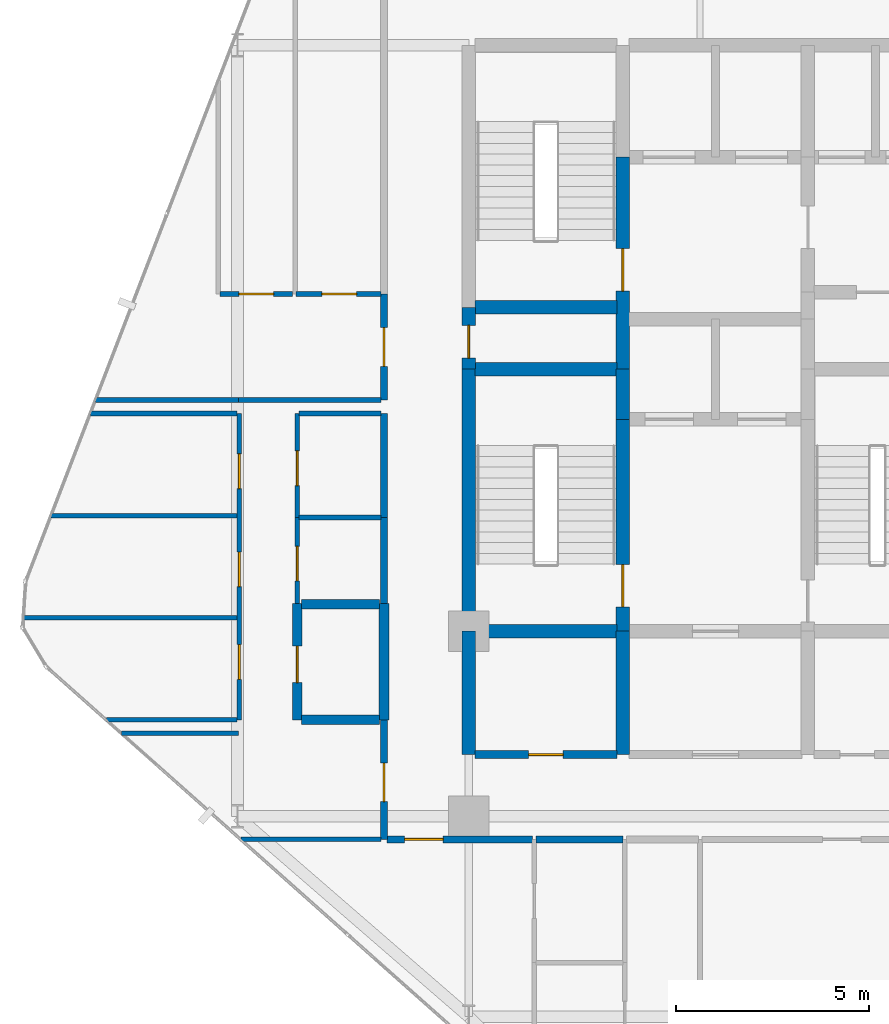
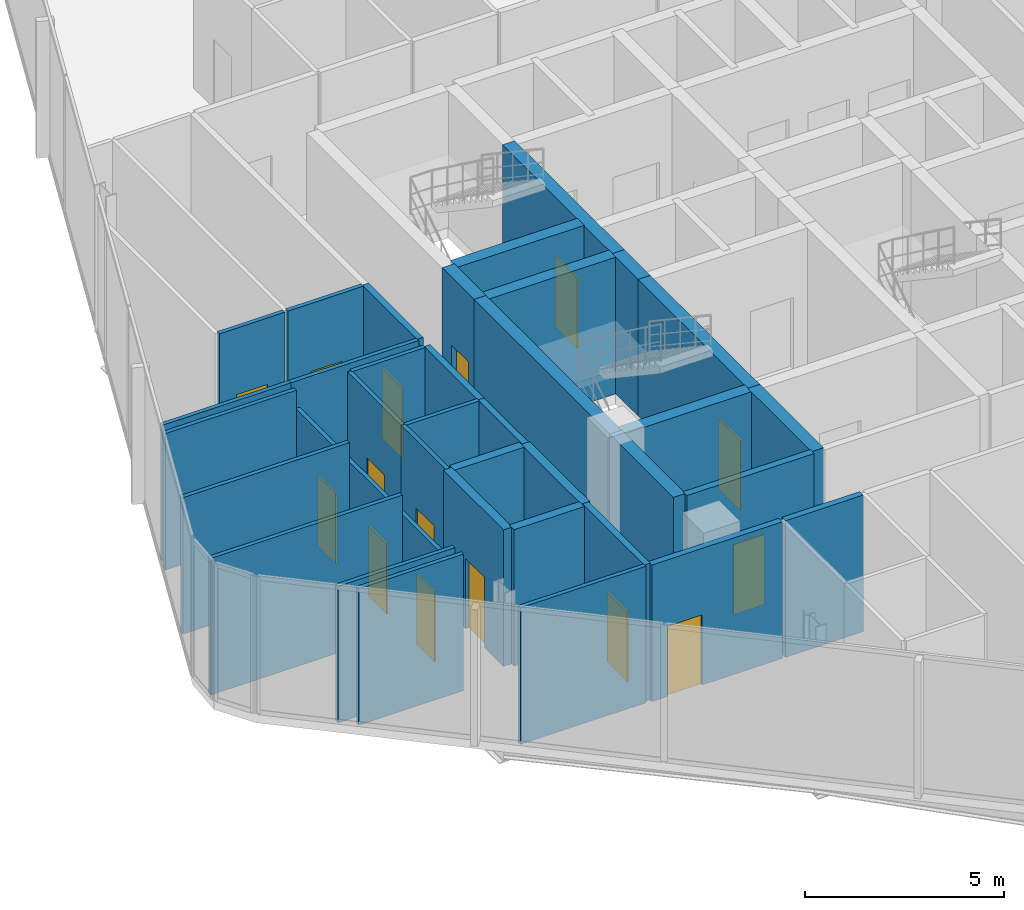
# One storey, part 22 of 30: 36 walls, 15 doors, 15 openings.
"""IFC4 building model written with IfcOpenShell, lengths in metres."""

from ifc_helpers import new_model, si_unit, direction, frame, frame_2d, origin, place, context, subcontext, project, spatial, rectangle, extrude, material, layer, layer_set, type_object, element, fill, save


model = new_model("IFC4")

# Units and contexts
model_context = context("Model", 3, precision=1e-05, world=origin(), true_north=direction((0.0, 1.0)))
body_context = subcontext(model_context, "Body", "Model", "MODEL_VIEW")
ifc_project = project(units=[si_unit("LENGTHUNIT", "METRE"), si_unit("AREAUNIT", "SQUARE_METRE"), si_unit("VOLUMEUNIT", "CUBIC_METRE"), si_unit("PLANEANGLEUNIT", "RADIAN"), si_unit("MASSUNIT", "GRAM", prefix="KILO")], contexts=[model_context])

# Site, building, storey
site_placement = place(None, origin())
site = spatial("IfcSite", under=ifc_project, at=site_placement, CompositionType="ELEMENT")
building_placement = place(site_placement, origin())
building = spatial("IfcBuilding", under=site, at=building_placement, Name="Keshet Zoharim Tower", CompositionType="ELEMENT")
storey_placement = place(building_placement, frame((0.0, 0.0, 86.39990234375)))
storey = spatial("IfcBuildingStorey", under=building, at=storey_placement, Name="L20", CompositionType="ELEMENT", Elevation=86.39990234375)

# Walls
ifc_material_1 = material(Name="Concrete C60/75", Category="concrete")
ifc_layer_1 = layer(ifc_material_1, 0.35009765625)
ifc_layer_set_1 = layer_set([ifc_layer_1], Name="Concrete C60/75")
wall_type_1 = type_object("IfcWallType", Name="WL-CORE-350", PredefinedType="SHEAR", material=ifc_layer_set_1)
wall_1_placement = place(storey_placement, frame((15.0, 19.5, 0.0), z_axis=(0.0, 0.0, 1.0), x_axis=(0.0, 1.0, 0.0)))
element("IfcWall", 1, at=wall_1_placement, inside=storey, type_object=wall_type_1, Name="L20 Core Shear Wall 013", PredefinedType="SHEAR", context=body_context, shape_type="SweptSolid", body=[
    extrude(rectangle(XDim=3.199951171875, YDim=0.35009765625, at=frame_2d((1.60009765625, 0.0))), origin(), (0.0, 0.0, 1.0), 4.18505859375),
])
wall_2_placement = place(storey_placement, frame((15.0, 22.699951171875, 0.0), z_axis=(0.0, 0.0, 1.0), x_axis=(0.0, 1.0, 0.0)))
element("IfcWall", 2, at=wall_2_placement, inside=storey, type_object=wall_type_1, Name="L20 Core Shear Wall 014", PredefinedType="SHEAR", context=body_context, shape_type="SweptSolid", body=[
    extrude(rectangle(XDim=6.800048828125, YDim=0.35009765625, at=frame_2d((3.39990234375, 0.0))), origin(), (0.0, 0.0, 1.0), 4.18505859375),
])

# Wall, opening, door
wall_3_placement = place(storey_placement, frame((15.0, 29.5, 0.0), z_axis=(0.0, 0.0, 1.0), x_axis=(0.0, 1.0, 0.0)))
wall_3 = element("IfcWall", 3, at=wall_3_placement, inside=storey, type_object=wall_type_1, Name="L20 Core Shear Wall 015", PredefinedType="SHEAR", context=body_context, shape_type="SweptSolid", body=[
    extrude(rectangle(XDim=1.60009765625, YDim=0.35009765625, at=frame_2d((0.800048828125, 0.0))), origin(), (0.0, 0.0, 1.0), 4.18505859375),
])
opening_1_placement = place(wall_3_placement, frame((0.287109375, 0.0, 0.0)))
opening_1 = element("IfcOpeningElement", 4, at=opening_1_placement, cuts=wall_3, Name="Opening D-RS85", PredefinedType="OPENING", context=body_context, shape_type="SweptSolid", body=[
    extrude(rectangle(XDim=0.85009765625, YDim=2.10009765625, at=frame_2d((0.425048828125, 1.050048828125))), frame((0.0, 0.18505859375, 0.0), z_axis=(0.0, -1.0, 0.0), x_axis=(1.0, 0.0, 0.0)), (0.0, 0.0, 1.0), 0.3701171875),
])
ifc_material_2 = material(Name="Hardwood Timber", Category="wood")
door_type_1 = type_object("IfcDoorType", Name="DR-RIS-085", OperationType="NOTDEFINED", PredefinedType="DOOR", material=ifc_material_2)
door_1_placement = place(opening_1_placement, origin())
door_1 = element("IfcDoor", 5, at=door_1_placement, inside=storey, type_object=door_type_1, Name="L20 Electrical Riser Access Cupboard Door", OperationType="SINGLE_SWING_LEFT", OverallHeight=2.10009765625, OverallWidth=0.85009765625, PredefinedType="DOOR", context=body_context, shape_type="SweptSolid", body=[
    extrude(rectangle(XDim=0.85009765625, YDim=2.10009765625, at=frame_2d((0.425048828125, 1.050048828125))), frame((0.0, 0.02490234375, 0.0), z_axis=(0.0, -1.0, 0.0), x_axis=(1.0, 0.0, 0.0)), (0.0, 0.0, 1.0), 0.050048828125),
])
fill(opening_1, door_1)

# Wall
wall_4_placement = place(storey_placement, frame((19.0, 19.5, 0.0), z_axis=(0.0, 0.0, 1.0), x_axis=(0.0, 1.0, 0.0)))
element("IfcWall", 6, at=wall_4_placement, inside=storey, type_object=wall_type_1, Name="L20 Core Shear Wall 021", PredefinedType="SHEAR", context=body_context, shape_type="SweptSolid", body=[
    extrude(rectangle(XDim=3.199951171875, YDim=0.35009765625, at=frame_2d((1.60009765625, 0.0))), origin(), (0.0, 0.0, 1.0), 4.18505859375),
])

# Wall, opening, door
wall_5_placement = place(storey_placement, frame((19.0, 22.699951171875, 0.0), z_axis=(0.0, 0.0, 1.0), x_axis=(0.0, 1.0, 0.0)))
wall_5 = element("IfcWall", 7, at=wall_5_placement, inside=storey, type_object=wall_type_1, Name="L20 Core Shear Wall 022", PredefinedType="SHEAR", context=body_context, shape_type="SweptSolid", body=[
    extrude(rectangle(XDim=5.5, YDim=0.35009765625, at=frame_2d((2.75, 0.0))), origin(), (0.0, 0.0, 1.0), 4.18505859375),
])
opening_2_placement = place(wall_5_placement, frame((0.631103515625, 0.0, 0.0)))
opening_2 = element("IfcOpeningElement", 8, at=opening_2_placement, cuts=wall_5, Name="Opening D-F611", PredefinedType="OPENING", context=body_context, shape_type="SweptSolid", body=[
    extrude(rectangle(XDim=1.10009765625, YDim=2.14990234375, at=frame_2d((0.550048828125, 1.074951171875))), frame((0.0, 0.18505859375, 0.0), z_axis=(0.0, -1.0, 0.0), x_axis=(1.0, 0.0, 0.0)), (0.0, 0.0, 1.0), 0.3701171875),
])
door_type_2 = type_object("IfcDoorType", Name="DR-FD60-110", OperationType="NOTDEFINED", PredefinedType="DOOR", material=ifc_material_2)
door_2_placement = place(opening_2_placement, origin())
door_2 = element("IfcDoor", 9, at=door_2_placement, inside=storey, type_object=door_type_2, Name="L20 Exit Stair ST-01 Fire Door", OperationType="SINGLE_SWING_RIGHT", OverallHeight=2.14990234375, OverallWidth=1.10009765625, PredefinedType="DOOR", context=body_context, shape_type="SweptSolid", body=[
    extrude(rectangle(XDim=1.10009765625, YDim=2.14990234375, at=frame_2d((0.550048828125, 1.074951171875))), frame((0.0, 0.02490234375, 0.0), z_axis=(0.0, -1.0, 0.0), x_axis=(1.0, 0.0, 0.0)), (0.0, 0.0, 1.0), 0.050048828125),
])
fill(opening_2, door_2)

# Wall
wall_6_placement = place(storey_placement, frame((19.0, 28.199951171875, 0.0), z_axis=(0.0, 0.0, 1.0), x_axis=(0.0, 1.0, 0.0)))
element("IfcWall", 10, at=wall_6_placement, inside=storey, type_object=wall_type_1, Name="L20 Core Shear Wall 023", PredefinedType="SHEAR", context=body_context, shape_type="SweptSolid", body=[
    extrude(rectangle(XDim=1.300048828125, YDim=0.35009765625, at=frame_2d((0.64990234375, 0.0))), origin(), (0.0, 0.0, 1.0), 4.18505859375),
])

# Wall, opening, door
wall_7_placement = place(storey_placement, frame((19.0, 29.5, 0.0), z_axis=(0.0, 0.0, 1.0), x_axis=(0.0, 1.0, 0.0)))
wall_7 = element("IfcWall", 11, at=wall_7_placement, inside=storey, type_object=wall_type_1, Name="L20 Core Shear Wall 024", PredefinedType="SHEAR", context=body_context, shape_type="SweptSolid", body=[
    extrude(rectangle(XDim=5.5, YDim=0.35009765625, at=frame_2d((2.75, 0.0))), origin(), (0.0, 0.0, 1.0), 4.18505859375),
])
opening_3_placement = place(wall_7_placement, frame((2.02490234375, 0.0, 0.0)))
opening_3 = element("IfcOpeningElement", 12, at=opening_3_placement, cuts=wall_7, Name="Opening D-F611", PredefinedType="OPENING", context=body_context, shape_type="SweptSolid", body=[
    extrude(rectangle(XDim=1.10009765625, YDim=2.14990234375, at=frame_2d((0.550048828125, 1.074951171875))), frame((0.0, 0.18505859375, 0.0), z_axis=(0.0, -1.0, 0.0), x_axis=(1.0, 0.0, 0.0)), (0.0, 0.0, 1.0), 0.3701171875),
])
door_3_placement = place(opening_3_placement, origin())
door_3 = element("IfcDoor", 13, at=door_3_placement, inside=storey, type_object=door_type_2, Name="L20 Exit Stair ST-02 Fire Door", OperationType="SINGLE_SWING_LEFT", OverallHeight=2.14990234375, OverallWidth=1.10009765625, PredefinedType="DOOR", context=body_context, shape_type="SweptSolid", body=[
    extrude(rectangle(XDim=1.10009765625, YDim=2.14990234375, at=frame_2d((0.550048828125, 1.074951171875))), frame((0.0, 0.02490234375, 0.0), z_axis=(0.0, -1.0, 0.0), x_axis=(1.0, 0.0, 0.0)), (0.0, 0.0, 1.0), 0.050048828125),
])
fill(opening_3, door_3)

# Walls
for number, where, z_axis, x_axis, name in (
    (14, (15.159912109375, 22.699951171875, 0.0), (0.0, 0.0, 1.0), (1.0, 0.0, 0.0), "L20 Core Shear Wall 152"),
    (15, (15.159912109375, 29.5, 0.0), (0.0, 0.0, 1.0), (1.0, 0.0, 0.0), "L20 Core Shear Wall 170"),
    (16, (15.159912109375, 31.10009765625, 0.0), (0.0, 0.0, 1.0), (1.0, 0.0, 0.0), "L20 Core Shear Wall 173"),
):
    element("IfcWall", number, at=place(storey_placement, frame(where, z_axis=z_axis, x_axis=x_axis)), inside=storey, type_object=wall_type_1, Name=name, PredefinedType="SHEAR", context=body_context, shape_type="SweptSolid", body=[
        extrude(rectangle(XDim=3.68017578125, YDim=0.35009765625, at=frame_2d((1.840087890625, 0.0))), origin(), (0.0, 0.0, 1.0), 4.18505859375),
    ])

# Wall, opening, door
ifc_material_3 = material(Name="Gypsum Plasterboard", Category="gypsum")
ifc_layer_2 = layer(ifc_material_3, 0.179931640625)
ifc_layer_set_2 = layer_set([ifc_layer_2], Name="Gypsum Plasterboard")
wall_type_2 = type_object("IfcWallType", Name="WL-CORR-180", PredefinedType="STANDARD", material=ifc_layer_set_2)
wall_8_placement = place(storey_placement, frame((12.800048828125, 17.300048828125, 0.0), z_axis=(0.0, 0.0, 1.0), x_axis=(0.0, 1.0, 0.0)))
wall_8 = element("IfcWall", 17, at=wall_8_placement, inside=storey, type_object=wall_type_2, Name="L20 Interior Wall 007", PredefinedType="STANDARD", context=body_context, shape_type="SweptSolid", body=[
    extrude(rectangle(XDim=3.099853515625, YDim=0.179931640625, at=frame_2d((1.5498046875, 0.0))), origin(), (0.0, 0.0, 1.0), 4.18505859375),
])
opening_4_placement = place(wall_8_placement, frame((0.97802734375, 0.0, 0.0)))
opening_4 = element("IfcOpeningElement", 18, at=opening_4_placement, cuts=wall_8, Name="Opening D-F310", PredefinedType="OPENING", context=body_context, shape_type="SweptSolid", body=[
    extrude(rectangle(XDim=1.0, YDim=2.14990234375, at=frame_2d((0.5, 1.074951171875))), frame((0.0, 0.10009765625, 0.0), z_axis=(0.0, -1.0, 0.0), x_axis=(1.0, 0.0, 0.0)), (0.0, 0.0, 1.0), 0.199951171875),
])
door_type_3 = type_object("IfcDoorType", Name="DR-FD30-100", OperationType="NOTDEFINED", PredefinedType="DOOR", material=ifc_material_2)
door_4_placement = place(opening_4_placement, origin())
door_4 = element("IfcDoor", 19, at=door_4_placement, inside=storey, type_object=door_type_3, Name="Apartment 2008 Entrance Door", OperationType="SINGLE_SWING_LEFT", OverallHeight=2.14990234375, OverallWidth=1.0, PredefinedType="DOOR", context=body_context, shape_type="SweptSolid", body=[
    extrude(rectangle(XDim=1.0, YDim=2.14990234375, at=frame_2d((0.5, 1.074951171875))), frame((0.0, 0.02490234375, 0.0), z_axis=(0.0, -1.0, 0.0), x_axis=(1.0, 0.0, 0.0)), (0.0, 0.0, 1.0), 0.050048828125),
])
fill(opening_4, door_4)

# Walls
wall_9_placement = place(storey_placement, frame((12.800048828125, 23.4208984375, 0.0), z_axis=(0.0, 0.0, 1.0), x_axis=(0.0, 1.0, 0.0)))
element("IfcWall", 20, at=wall_9_placement, inside=storey, type_object=wall_type_2, Name="L20 Interior Wall 009", PredefinedType="STANDARD", context=body_context, shape_type="SweptSolid", body=[
    extrude(rectangle(XDim=2.22607421875, YDim=0.179931640625, at=frame_2d((1.113037109375, 0.0))), origin(), (0.0, 0.0, 1.0), 4.18505859375),
])
wall_10_placement = place(storey_placement, frame((12.800048828125, 25.64697265625, 0.0), z_axis=(0.0, 0.0, 1.0), x_axis=(0.0, 1.0, 0.0)))
element("IfcWall", 21, at=wall_10_placement, inside=storey, type_object=wall_type_2, Name="L20 Interior Wall 010", PredefinedType="STANDARD", context=body_context, shape_type="SweptSolid", body=[
    extrude(rectangle(XDim=2.703125, YDim=0.179931640625, at=frame_2d((1.3515625, 0.0))), origin(), (0.0, 0.0, 1.0), 4.18505859375),
])

# Wall, opening, door
wall_11_placement = place(storey_placement, frame((12.800048828125, 28.699951171875, 0.0), z_axis=(0.0, 0.0, 1.0), x_axis=(0.0, 1.0, 0.0)))
wall_11 = element("IfcWall", 22, at=wall_11_placement, inside=storey, type_object=wall_type_2, Name="L20 Interior Wall 011", PredefinedType="STANDARD", context=body_context, shape_type="SweptSolid", body=[
    extrude(rectangle(XDim=2.75, YDim=0.179931640625, at=frame_2d((1.375, 0.0))), origin(), (0.0, 0.0, 1.0), 4.18505859375),
])
opening_5_placement = place(wall_11_placement, frame((0.875, 0.0, 0.0)))
opening_5 = element("IfcOpeningElement", 23, at=opening_5_placement, cuts=wall_11, Name="Opening D-F310", PredefinedType="OPENING", context=body_context, shape_type="SweptSolid", body=[
    extrude(rectangle(XDim=1.0, YDim=2.14990234375, at=frame_2d((0.5, 1.074951171875))), frame((0.0, 0.10009765625, 0.0), z_axis=(0.0, -1.0, 0.0), x_axis=(1.0, 0.0, 0.0)), (0.0, 0.0, 1.0), 0.199951171875),
])
door_5_placement = place(opening_5_placement, origin())
door_5 = element("IfcDoor", 24, at=door_5_placement, inside=storey, type_object=door_type_3, Name="Apartment 2009 Entrance Door", OperationType="SINGLE_SWING_RIGHT", OverallHeight=2.14990234375, OverallWidth=1.0, PredefinedType="DOOR", context=body_context, shape_type="SweptSolid", body=[
    extrude(rectangle(XDim=1.0, YDim=2.14990234375, at=frame_2d((0.5, 1.074951171875))), frame((0.0, 0.02490234375, 0.0), z_axis=(0.0, -1.0, 0.0), x_axis=(1.0, 0.0, 0.0)), (0.0, 0.0, 1.0), 0.050048828125),
])
fill(opening_5, door_5)

wall_12_placement = place(storey_placement, frame((12.875, 17.300048828125, 0.0), z_axis=(0.0, 0.0, 1.0), x_axis=(1.0, 0.0, 0.0)))
wall_12 = element("IfcWall", 25, at=wall_12_placement, inside=storey, type_object=wall_type_2, Name="L20 Interior Wall 131", PredefinedType="STANDARD", context=body_context, shape_type="SweptSolid", body=[
    extrude(rectangle(XDim=3.780029296875, YDim=0.179931640625, at=frame_2d((1.89013671875, 0.0))), origin(), (0.0, 0.0, 1.0), 4.18505859375),
])
opening_6_placement = place(wall_12_placement, frame((0.4580078125, 0.0, 0.0)))
opening_6 = element("IfcOpeningElement", 26, at=opening_6_placement, cuts=wall_12, Name="Opening D-F310", PredefinedType="OPENING", context=body_context, shape_type="SweptSolid", body=[
    extrude(rectangle(XDim=1.0, YDim=2.14990234375, at=frame_2d((0.5, 1.074951171875))), frame((0.0, 0.10009765625, 0.0), z_axis=(0.0, -1.0, 0.0), x_axis=(1.0, 0.0, 0.0)), (0.0, 0.0, 1.0), 0.199951171875),
])
door_6_placement = place(opening_6_placement, origin())
door_6 = element("IfcDoor", 27, at=door_6_placement, inside=storey, type_object=door_type_3, Name="Apartment 2001 Entrance Door", OperationType="SINGLE_SWING_RIGHT", OverallHeight=2.14990234375, OverallWidth=1.0, PredefinedType="DOOR", context=body_context, shape_type="SweptSolid", body=[
    extrude(rectangle(XDim=1.0, YDim=2.14990234375, at=frame_2d((0.5, 1.074951171875))), frame((0.0, 0.02490234375, 0.0), z_axis=(0.0, -1.0, 0.0), x_axis=(1.0, 0.0, 0.0)), (0.0, 0.0, 1.0), 0.050048828125),
])
fill(opening_6, door_6)

# Wall
wall_13_placement = place(storey_placement, frame((16.7451171875, 17.300048828125, 0.0), z_axis=(0.0, 0.0, 1.0), x_axis=(1.0, 0.0, 0.0)))
element("IfcWall", 28, at=wall_13_placement, inside=storey, type_object=wall_type_2, Name="L20 Interior Wall 132", PredefinedType="STANDARD", context=body_context, shape_type="SweptSolid", body=[
    extrude(rectangle(XDim=2.259765625, YDim=0.179931640625, at=frame_2d((1.1298828125, 0.0))), origin(), (0.0, 0.0, 1.0), 4.18505859375),
])

# Wall, opening, door
ifc_material_4 = material(Name="Concrete C50/60", Category="concrete")
ifc_layer_3 = layer(ifc_material_4, 0.199951171875)
ifc_layer_set_3 = layer_set([ifc_layer_3], Name="Concrete C50/60")
wall_type_3 = type_object("IfcWallType", Name="WL-FIRE-200", PredefinedType="STANDARD", material=ifc_layer_set_3)
wall_14_placement = place(storey_placement, frame((15.159912109375, 19.5, 0.0), z_axis=(0.0, 0.0, 1.0), x_axis=(1.0, 0.0, 0.0)))
wall_14 = element("IfcWall", 29, at=wall_14_placement, inside=storey, type_object=wall_type_3, Name="L20 Interior Wall 144", PredefinedType="STANDARD", context=body_context, shape_type="SweptSolid", body=[
    extrude(rectangle(XDim=3.68017578125, YDim=0.199951171875, at=frame_2d((1.840087890625, 0.0))), origin(), (0.0, 0.0, 1.0), 4.18505859375),
])
opening_7_placement = place(wall_14_placement, frame((1.389892578125, 0.0, 0.0)))
opening_7 = element("IfcOpeningElement", 30, at=opening_7_placement, cuts=wall_14, Name="Opening D-F690", PredefinedType="OPENING", context=body_context, shape_type="SweptSolid", body=[
    extrude(rectangle(XDim=0.89990234375, YDim=2.14990234375, at=frame_2d((0.449951171875, 1.074951171875))), frame((0.0, 0.10986328125, 0.0), z_axis=(0.0, -1.0, 0.0), x_axis=(1.0, 0.0, 0.0)), (0.0, 0.0, 1.0), 0.219970703125),
])
door_type_4 = type_object("IfcDoorType", Name="DR-FD60-090", OperationType="NOTDEFINED", PredefinedType="DOOR", material=ifc_material_2)
door_7_placement = place(opening_7_placement, origin())
door_7 = element("IfcDoor", 31, at=door_7_placement, inside=storey, type_object=door_type_4, Name="L20 Pram Store Door", OperationType="SINGLE_SWING_RIGHT", OverallHeight=2.14990234375, OverallWidth=0.89990234375, PredefinedType="DOOR", context=body_context, shape_type="SweptSolid", body=[
    extrude(rectangle(XDim=0.89990234375, YDim=2.14990234375, at=frame_2d((0.449951171875, 1.074951171875))), frame((0.0, 0.02490234375, 0.0), z_axis=(0.0, -1.0, 0.0), x_axis=(1.0, 0.0, 0.0)), (0.0, 0.0, 1.0), 0.050048828125),
])
fill(opening_7, door_7)

ifc_layer_4 = layer(ifc_material_4, 0.25)
ifc_layer_set_4 = layer_set([ifc_layer_4], Name="Concrete C50/60")
wall_type_4 = type_object("IfcWallType", Name="WL-MAMAD-250", PredefinedType="STANDARD", material=ifc_layer_set_4)
wall_15_placement = place(storey_placement, frame((10.550048828125, 20.39990234375, 0.0), z_axis=(0.0, 0.0, 1.0), x_axis=(0.0, 1.0, 0.0)))
wall_15 = element("IfcWall", 32, at=wall_15_placement, inside=storey, type_object=wall_type_4, Name="L20 Interior Wall 004", PredefinedType="STANDARD", context=body_context, shape_type="SweptSolid", body=[
    extrude(rectangle(XDim=3.02099609375, YDim=0.25, at=frame_2d((1.510498046875, 0.0))), origin(), (0.0, 0.0, 1.0), 4.18505859375),
])
opening_8_placement = place(wall_15_placement, frame((0.964111328125, 0.0, 0.0)))
opening_8 = element("IfcOpeningElement", 33, at=opening_8_placement, cuts=wall_15, Name="Opening D-F695", PredefinedType="OPENING", context=body_context, shape_type="SweptSolid", body=[
    extrude(rectangle(XDim=0.949951171875, YDim=2.14990234375, at=frame_2d((0.47509765625, 1.074951171875))), frame((0.0, 0.135009765625, 0.0), z_axis=(0.0, -1.0, 0.0), x_axis=(1.0, 0.0, 0.0)), (0.0, 0.0, 1.0), 0.27001953125),
])
door_type_5 = type_object("IfcDoorType", Name="DR-FD60-095", OperationType="NOTDEFINED", PredefinedType="DOOR", material=ifc_material_2)
door_8_placement = place(opening_8_placement, origin())
door_8 = element("IfcDoor", 34, at=door_8_placement, inside=storey, type_object=door_type_5, Name="Apartment 2008 Study and Shelter Room Door", OperationType="SINGLE_SWING_RIGHT", OverallHeight=2.14990234375, OverallWidth=0.949951171875, PredefinedType="DOOR", context=body_context, shape_type="SweptSolid", body=[
    extrude(rectangle(XDim=0.949951171875, YDim=2.14990234375, at=frame_2d((0.47509765625, 1.074951171875))), frame((0.0, 0.02490234375, 0.0), z_axis=(0.0, -1.0, 0.0), x_axis=(1.0, 0.0, 0.0)), (0.0, 0.0, 1.0), 0.050048828125),
])
fill(opening_8, door_8)

# Walls
wall_16_placement = place(storey_placement, frame((12.800048828125, 20.39990234375, 0.0), z_axis=(0.0, 0.0, 1.0), x_axis=(0.0, 1.0, 0.0)))
element("IfcWall", 35, at=wall_16_placement, inside=storey, type_object=wall_type_4, Name="L20 Interior Wall 008", PredefinedType="STANDARD", context=body_context, shape_type="SweptSolid", body=[
    extrude(rectangle(XDim=3.02099609375, YDim=0.25, at=frame_2d((1.510498046875, 0.0))), origin(), (0.0, 0.0, 1.0), 4.18505859375),
])
for number, where, z_axis, x_axis, name in (
    (36, (10.659912109375, 20.39990234375, 0.0), (0.0, 0.0, 1.0), (1.0, 0.0, 0.0), "L20 Interior Wall 151"),
    (37, (10.659912109375, 23.39990234375, 0.0), (0.0, 0.0, 1.0), (1.0, 0.0, 0.0), "L20 Interior Wall 158"),
):
    element("IfcWall", number, at=place(storey_placement, frame(where, z_axis=z_axis, x_axis=x_axis)), inside=storey, type_object=wall_type_4, Name=name, PredefinedType="STANDARD", context=body_context, shape_type="SweptSolid", body=[
        extrude(rectangle(XDim=2.030029296875, YDim=0.25, at=frame_2d((1.01513671875, 0.0))), origin(), (0.0, 0.0, 1.0), 4.18505859375),
    ])

# Wall, openings, doors
ifc_layer_5 = layer(ifc_material_3, 0.1201171875)
ifc_layer_set_5 = layer_set([ifc_layer_5], Name="Gypsum Plasterboard")
wall_type_5 = type_object("IfcWallType", Name="WL-PART-120", PredefinedType="PARTITIONING", material=ifc_layer_set_5)
wall_17_placement = place(storey_placement, frame((9.050048828125, 20.39990234375, 0.0), z_axis=(0.0, 0.0, 1.0), x_axis=(0.0, 1.0, 0.0)))
wall_17 = element("IfcWall", 38, at=wall_17_placement, inside=storey, type_object=wall_type_5, Name="L20 Interior Wall 002", PredefinedType="PARTITIONING", context=body_context, shape_type="SweptSolid", body=[
    extrude(rectangle(XDim=7.9501953125, YDim=0.1201171875, at=frame_2d((3.97509765625, 0.0))), origin(), (0.0, 0.0, 1.0), 3.585205078125),
])
opening_9_placement = place(wall_17_placement, frame((1.050048828125, 0.0, 0.0)))
opening_9 = element("IfcOpeningElement", 39, at=opening_9_placement, cuts=wall_17, Name="Opening D-IN90", PredefinedType="OPENING", context=body_context, shape_type="SweptSolid", body=[
    extrude(rectangle(XDim=0.89990234375, YDim=2.14990234375, at=frame_2d((0.449951171875, 1.074951171875))), frame((0.0, 0.070068359375, 0.0), z_axis=(0.0, -1.0, 0.0), x_axis=(1.0, 0.0, 0.0)), (0.0, 0.0, 1.0), 0.14013671875),
])
opening_10_placement = place(wall_17_placement, frame((3.455078125, 0.0, 0.0)))
opening_10 = element("IfcOpeningElement", 40, at=opening_10_placement, cuts=wall_17, Name="Opening D-IN90", PredefinedType="OPENING", context=body_context, shape_type="SweptSolid", body=[
    extrude(rectangle(XDim=0.89990234375, YDim=2.14990234375, at=frame_2d((0.449951171875, 1.074951171875))), frame((0.0, 0.070068359375, 0.0), z_axis=(0.0, -1.0, 0.0), x_axis=(1.0, 0.0, 0.0)), (0.0, 0.0, 1.0), 0.14013671875),
])
opening_11_placement = place(wall_17_placement, frame((6.0, 0.0, 0.0)))
opening_11 = element("IfcOpeningElement", 41, at=opening_11_placement, cuts=wall_17, Name="Opening D-IN90", PredefinedType="OPENING", context=body_context, shape_type="SweptSolid", body=[
    extrude(rectangle(XDim=0.89990234375, YDim=2.14990234375, at=frame_2d((0.449951171875, 1.074951171875))), frame((0.0, 0.070068359375, 0.0), z_axis=(0.0, -1.0, 0.0), x_axis=(1.0, 0.0, 0.0)), (0.0, 0.0, 1.0), 0.14013671875),
])
door_type_6 = type_object("IfcDoorType", Name="DR-INT-090", OperationType="NOTDEFINED", PredefinedType="DOOR", material=ifc_material_2)
door_9_placement = place(opening_9_placement, origin())
door_9 = element("IfcDoor", 42, at=door_9_placement, inside=storey, type_object=door_type_6, Name="Apartment 2008 Bedroom 1 Door", OperationType="SINGLE_SWING_LEFT", OverallHeight=2.14990234375, OverallWidth=0.89990234375, PredefinedType="DOOR", context=body_context, shape_type="SweptSolid", body=[
    extrude(rectangle(XDim=0.89990234375, YDim=2.14990234375, at=frame_2d((0.449951171875, 1.074951171875))), frame((0.0, 0.02490234375, 0.0), z_axis=(0.0, -1.0, 0.0), x_axis=(1.0, 0.0, 0.0)), (0.0, 0.0, 1.0), 0.050048828125),
])
fill(opening_9, door_9)
door_10_placement = place(opening_10_placement, origin())
door_10 = element("IfcDoor", 43, at=door_10_placement, inside=storey, type_object=door_type_6, Name="Apartment 2008 Bedroom 2 Door", OperationType="SINGLE_SWING_RIGHT", OverallHeight=2.14990234375, OverallWidth=0.89990234375, PredefinedType="DOOR", context=body_context, shape_type="SweptSolid", body=[
    extrude(rectangle(XDim=0.89990234375, YDim=2.14990234375, at=frame_2d((0.449951171875, 1.074951171875))), frame((0.0, 0.02490234375, 0.0), z_axis=(0.0, -1.0, 0.0), x_axis=(1.0, 0.0, 0.0)), (0.0, 0.0, 1.0), 0.050048828125),
])
fill(opening_10, door_10)
door_11_placement = place(opening_11_placement, origin())
door_11 = element("IfcDoor", 44, at=door_11_placement, inside=storey, type_object=door_type_6, Name="Apartment 2008 Bedroom 3 Door", OperationType="SINGLE_SWING_LEFT", OverallHeight=2.14990234375, OverallWidth=0.89990234375, PredefinedType="DOOR", context=body_context, shape_type="SweptSolid", body=[
    extrude(rectangle(XDim=0.89990234375, YDim=2.14990234375, at=frame_2d((0.449951171875, 1.074951171875))), frame((0.0, 0.02490234375, 0.0), z_axis=(0.0, -1.0, 0.0), x_axis=(1.0, 0.0, 0.0)), (0.0, 0.0, 1.0), 0.050048828125),
])
fill(opening_11, door_11)

# Wall, opening, door
wall_18_placement = place(storey_placement, frame((10.550048828125, 25.64697265625, 0.0), z_axis=(0.0, 0.0, 1.0), x_axis=(0.0, 1.0, 0.0)))
wall_18 = element("IfcWall", 45, at=wall_18_placement, inside=storey, type_object=wall_type_5, Name="L20 Interior Wall 006", PredefinedType="PARTITIONING", context=body_context, shape_type="SweptSolid", body=[
    extrude(rectangle(XDim=2.703125, YDim=0.1201171875, at=frame_2d((1.3515625, 0.0))), origin(), (0.0, 0.0, 1.0), 4.18505859375),
])
opening_12_placement = place(wall_18_placement, frame((0.830078125, 0.0, 0.0)))
opening_12 = element("IfcOpeningElement", 46, at=opening_12_placement, cuts=wall_18, Name="Opening D-IN90", PredefinedType="OPENING", context=body_context, shape_type="SweptSolid", body=[
    extrude(rectangle(XDim=0.89990234375, YDim=2.14990234375, at=frame_2d((0.449951171875, 1.074951171875))), frame((0.0, 0.070068359375, 0.0), z_axis=(0.0, -1.0, 0.0), x_axis=(1.0, 0.0, 0.0)), (0.0, 0.0, 1.0), 0.14013671875),
])
door_12_placement = place(opening_12_placement, origin())
door_12 = element("IfcDoor", 47, at=door_12_placement, inside=storey, type_object=door_type_6, Name="Apartment 2008 Kitchen Door", OperationType="SINGLE_SWING_RIGHT", OverallHeight=2.14990234375, OverallWidth=0.89990234375, PredefinedType="DOOR", context=body_context, shape_type="SweptSolid", body=[
    extrude(rectangle(XDim=0.89990234375, YDim=2.14990234375, at=frame_2d((0.449951171875, 1.074951171875))), frame((0.0, 0.02490234375, 0.0), z_axis=(0.0, -1.0, 0.0), x_axis=(1.0, 0.0, 0.0)), (0.0, 0.0, 1.0), 0.050048828125),
])
fill(opening_12, door_12)

# Walls
wall_19_placement = place(storey_placement, frame((9.0849609375, 17.300048828125, 0.0), z_axis=(0.0, 0.0, 1.0), x_axis=(1.0, 0.0, 0.0)))
element("IfcWall", 48, at=wall_19_placement, inside=storey, type_object=wall_type_5, Name="L20 Interior Wall 130", PredefinedType="PARTITIONING", context=body_context, shape_type="SweptSolid", body=[
    extrude(rectangle(XDim=3.64013671875, YDim=0.1201171875, at=frame_2d((1.820068359375, 0.0))), origin(), (0.0, 0.0, 1.0), 4.18505859375),
])
wall_20_placement = place(storey_placement, frame((5.990966796875, 20.050048828125, 0.0), z_axis=(0.0, 0.0, 1.0), x_axis=(1.0, 0.0, 0.0)))
element("IfcWall", 49, at=wall_20_placement, inside=storey, type_object=wall_type_5, Name="L20 Interior Wall 149", PredefinedType="PARTITIONING", context=body_context, shape_type="SweptSolid", body=[
    extrude(rectangle(XDim=3.0390625, YDim=0.1201171875, at=frame_2d((1.51953125, 0.0))), origin(), (0.0, 0.0, 1.0), 4.18505859375),
])
wall_21_placement = place(storey_placement, frame((5.596923828125, 20.39990234375, 0.0), z_axis=(0.0, 0.0, 1.0), x_axis=(1.0, 0.0, 0.0)))
element("IfcWall", 50, at=wall_21_placement, inside=storey, type_object=wall_type_5, Name="L20 Interior Wall 150", PredefinedType="PARTITIONING", context=body_context, shape_type="SweptSolid", body=[
    extrude(rectangle(XDim=3.38818359375, YDim=0.1201171875, at=frame_2d((1.694091796875, 0.0))), origin(), (0.0, 0.0, 1.0), 4.18505859375),
])
wall_22_placement = place(storey_placement, frame((3.446044921875, 23.050048828125, 0.0), z_axis=(0.0, 0.0, 1.0), x_axis=(1.0, 0.0, 0.0)))
element("IfcWall", 51, at=wall_22_placement, inside=storey, type_object=wall_type_5, Name="L20 Interior Wall 157", PredefinedType="PARTITIONING", context=body_context, shape_type="SweptSolid", body=[
    extrude(rectangle(XDim=5.5390625, YDim=0.1201171875, at=frame_2d((2.76953125, 0.0))), origin(), (0.0, 0.0, 1.0), 4.18505859375),
])
wall_23_placement = place(storey_placement, frame((4.1640625, 25.699951171875, 0.0), z_axis=(0.0, 0.0, 1.0), x_axis=(1.0, 0.0, 0.0)))
element("IfcWall", 52, at=wall_23_placement, inside=storey, type_object=wall_type_5, Name="L20 Interior Wall 161", PredefinedType="PARTITIONING", context=body_context, shape_type="SweptSolid", body=[
    extrude(rectangle(XDim=4.821044921875, YDim=0.1201171875, at=frame_2d((2.41064453125, 0.0))), origin(), (0.0, 0.0, 1.0), 4.18505859375),
])
wall_24_placement = place(storey_placement, frame((5.18310546875, 28.35009765625, 0.0), z_axis=(0.0, 0.0, 1.0), x_axis=(1.0, 0.0, 0.0)))
element("IfcWall", 53, at=wall_24_placement, inside=storey, type_object=wall_type_5, Name="L20 Interior Wall 165", PredefinedType="PARTITIONING", context=body_context, shape_type="SweptSolid", body=[
    extrude(rectangle(XDim=3.802001953125, YDim=0.1201171875, at=frame_2d((1.90087890625, 0.0))), origin(), (0.0, 0.0, 1.0), 4.18505859375),
])
wall_25_placement = place(storey_placement, frame((10.594970703125, 28.35009765625, 0.0), z_axis=(0.0, 0.0, 1.0), x_axis=(1.0, 0.0, 0.0)))
element("IfcWall", 54, at=wall_25_placement, inside=storey, type_object=wall_type_5, Name="L20 Interior Wall 166", PredefinedType="PARTITIONING", context=body_context, shape_type="SweptSolid", body=[
    extrude(rectangle(XDim=2.130126953125, YDim=0.1201171875, at=frame_2d((1.06494140625, 0.0))), origin(), (0.0, 0.0, 1.0), 4.18505859375),
])
wall_26_placement = place(storey_placement, frame((5.31689453125, 28.699951171875, 0.0), z_axis=(0.0, 0.0, 1.0), x_axis=(1.0, 0.0, 0.0)))
element("IfcWall", 55, at=wall_26_placement, inside=storey, type_object=wall_type_5, Name="L20 Interior Wall 167", PredefinedType="PARTITIONING", context=body_context, shape_type="SweptSolid", body=[
    extrude(rectangle(XDim=3.713134765625, YDim=0.1201171875, at=frame_2d((1.8564453125, 0.0))), origin(), (0.0, 0.0, 1.0), 4.18505859375),
])
wall_27_placement = place(storey_placement, frame((9.030029296875, 28.699951171875, 0.0), z_axis=(0.0, 0.0, 1.0), x_axis=(1.0, 0.0, 0.0)))
element("IfcWall", 56, at=wall_27_placement, inside=storey, type_object=wall_type_5, Name="L20 Interior Wall 168", PredefinedType="PARTITIONING", context=body_context, shape_type="SweptSolid", body=[
    extrude(rectangle(XDim=3.695068359375, YDim=0.1201171875, at=frame_2d((1.84765625, 0.0))), origin(), (0.0, 0.0, 1.0), 4.18505859375),
])

# Wall, opening, door
wall_28_placement = place(storey_placement, frame((8.544921875, 31.449951171875, 0.0), z_axis=(0.0, 0.0, 1.0), x_axis=(1.0, 0.0, 0.0)))
wall_28 = element("IfcWall", 57, at=wall_28_placement, inside=storey, type_object=wall_type_5, Name="L20 Interior Wall 174", PredefinedType="PARTITIONING", context=body_context, shape_type="SweptSolid", body=[
    extrude(rectangle(XDim=1.88818359375, YDim=0.1201171875, at=frame_2d((0.944091796875, 0.0))), origin(), (0.0, 0.0, 1.0), 4.18505859375),
])
opening_13_placement = place(wall_28_placement, frame((0.493896484375, 0.0, 0.0)))
opening_13 = element("IfcOpeningElement", 58, at=opening_13_placement, cuts=wall_28, Name="Opening D-IN90", PredefinedType="OPENING", context=body_context, shape_type="SweptSolid", body=[
    extrude(rectangle(XDim=0.89990234375, YDim=2.14990234375, at=frame_2d((0.449951171875, 1.074951171875))), frame((0.0, 0.070068359375, 0.0), z_axis=(0.0, -1.0, 0.0), x_axis=(1.0, 0.0, 0.0)), (0.0, 0.0, 1.0), 0.14013671875),
])
door_13_placement = place(opening_13_placement, origin())
door_13 = element("IfcDoor", 59, at=door_13_placement, inside=storey, type_object=door_type_6, Name="Apartment 2009 Kitchen Door", OperationType="SINGLE_SWING_LEFT", OverallHeight=2.14990234375, OverallWidth=0.89990234375, PredefinedType="DOOR", context=body_context, shape_type="SweptSolid", body=[
    extrude(rectangle(XDim=0.89990234375, YDim=2.14990234375, at=frame_2d((0.449951171875, 1.074951171875))), frame((0.0, 0.02490234375, 0.0), z_axis=(0.0, -1.0, 0.0), x_axis=(1.0, 0.0, 0.0)), (0.0, 0.0, 1.0), 0.050048828125),
])
fill(opening_13, door_13)

ifc_layer_6 = layer(ifc_material_3, 0.1201171875)
ifc_layer_set_6 = layer_set([ifc_layer_6], Name="Gypsum Plasterboard")
wall_type_6 = type_object("IfcWallType", Name="WL-WET-120", PredefinedType="PARTITIONING", material=ifc_layer_set_6)
wall_29_placement = place(storey_placement, frame((10.550048828125, 23.4208984375, 0.0), z_axis=(0.0, 0.0, 1.0), x_axis=(0.0, 1.0, 0.0)))
wall_29 = element("IfcWall", 60, at=wall_29_placement, inside=storey, type_object=wall_type_6, Name="L20 Interior Wall 005", PredefinedType="PARTITIONING", context=body_context, shape_type="SweptSolid", body=[
    extrude(rectangle(XDim=2.22607421875, YDim=0.1201171875, at=frame_2d((1.113037109375, 0.0))), origin(), (0.0, 0.0, 1.0), 4.18505859375),
])
opening_14_placement = place(wall_29_placement, frame((0.583984375, 0.0, 0.0)))
opening_14 = element("IfcOpeningElement", 61, at=opening_14_placement, cuts=wall_29, Name="Opening D-WT90", PredefinedType="OPENING", context=body_context, shape_type="SweptSolid", body=[
    extrude(rectangle(XDim=0.89990234375, YDim=2.10009765625, at=frame_2d((0.449951171875, 1.050048828125))), frame((0.0, 0.070068359375, 0.0), z_axis=(0.0, -1.0, 0.0), x_axis=(1.0, 0.0, 0.0)), (0.0, 0.0, 1.0), 0.14013671875),
])
door_type_7 = type_object("IfcDoorType", Name="DR-WET-090", OperationType="NOTDEFINED", PredefinedType="DOOR", material=ifc_material_2)
door_14_placement = place(opening_14_placement, origin())
door_14 = element("IfcDoor", 62, at=door_14_placement, inside=storey, type_object=door_type_7, Name="Apartment 2008 Bathroom Door", OperationType="SINGLE_SWING_LEFT", OverallHeight=2.10009765625, OverallWidth=0.89990234375, PredefinedType="DOOR", context=body_context, shape_type="SweptSolid", body=[
    extrude(rectangle(XDim=0.89990234375, YDim=2.10009765625, at=frame_2d((0.449951171875, 1.050048828125))), frame((0.0, 0.02490234375, 0.0), z_axis=(0.0, -1.0, 0.0), x_axis=(1.0, 0.0, 0.0)), (0.0, 0.0, 1.0), 0.050048828125),
])
fill(opening_14, door_14)

# Wall
wall_30_placement = place(storey_placement, frame((10.594970703125, 25.64990234375, 0.0), z_axis=(0.0, 0.0, 1.0), x_axis=(1.0, 0.0, 0.0)))
element("IfcWall", 63, at=wall_30_placement, inside=storey, type_object=wall_type_6, Name="L20 Interior Wall 160", PredefinedType="PARTITIONING", context=body_context, shape_type="SweptSolid", body=[
    extrude(rectangle(XDim=2.130126953125, YDim=0.1201171875, at=frame_2d((1.06494140625, 0.0))), origin(), (0.0, 0.0, 1.0), 4.18505859375),
])

# Wall, opening, door
wall_31_placement = place(storey_placement, frame((10.52294921875, 31.449951171875, 0.0), z_axis=(0.0, 0.0, 1.0), x_axis=(1.0, 0.0, 0.0)))
wall_31 = element("IfcWall", 64, at=wall_31_placement, inside=storey, type_object=wall_type_6, Name="L20 Interior Wall 175", PredefinedType="PARTITIONING", context=body_context, shape_type="SweptSolid", body=[
    extrude(rectangle(XDim=2.2021484375, YDim=0.1201171875, at=frame_2d((1.10107421875, 0.0))), origin(), (0.0, 0.0, 1.0), 4.18505859375),
])
opening_15_placement = place(wall_31_placement, frame((0.666015625, 0.0, 0.0)))
opening_15 = element("IfcOpeningElement", 65, at=opening_15_placement, cuts=wall_31, Name="Opening D-WT90", PredefinedType="OPENING", context=body_context, shape_type="SweptSolid", body=[
    extrude(rectangle(XDim=0.89990234375, YDim=2.10009765625, at=frame_2d((0.449951171875, 1.050048828125))), frame((0.0, 0.070068359375, 0.0), z_axis=(0.0, -1.0, 0.0), x_axis=(1.0, 0.0, 0.0)), (0.0, 0.0, 1.0), 0.14013671875),
])
door_15_placement = place(opening_15_placement, origin())
door_15 = element("IfcDoor", 66, at=door_15_placement, inside=storey, type_object=door_type_7, Name="Apartment 2009 Bathroom Door", OperationType="SINGLE_SWING_RIGHT", OverallHeight=2.10009765625, OverallWidth=0.89990234375, PredefinedType="DOOR", context=body_context, shape_type="SweptSolid", body=[
    extrude(rectangle(XDim=0.89990234375, YDim=2.10009765625, at=frame_2d((0.449951171875, 1.050048828125))), frame((0.0, 0.02490234375, 0.0), z_axis=(0.0, -1.0, 0.0), x_axis=(1.0, 0.0, 0.0)), (0.0, 0.0, 1.0), 0.050048828125),
])
fill(opening_15, door_15)

save(model, "model.ifc")
